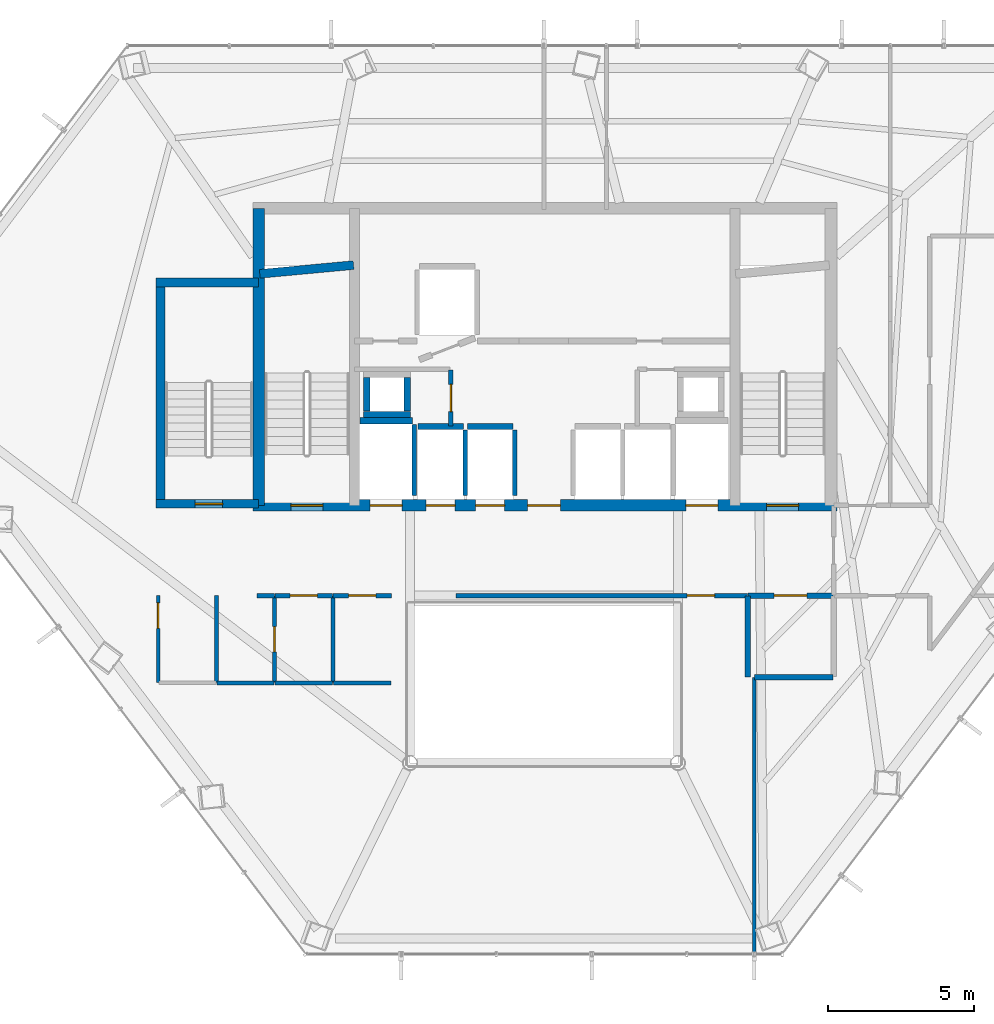
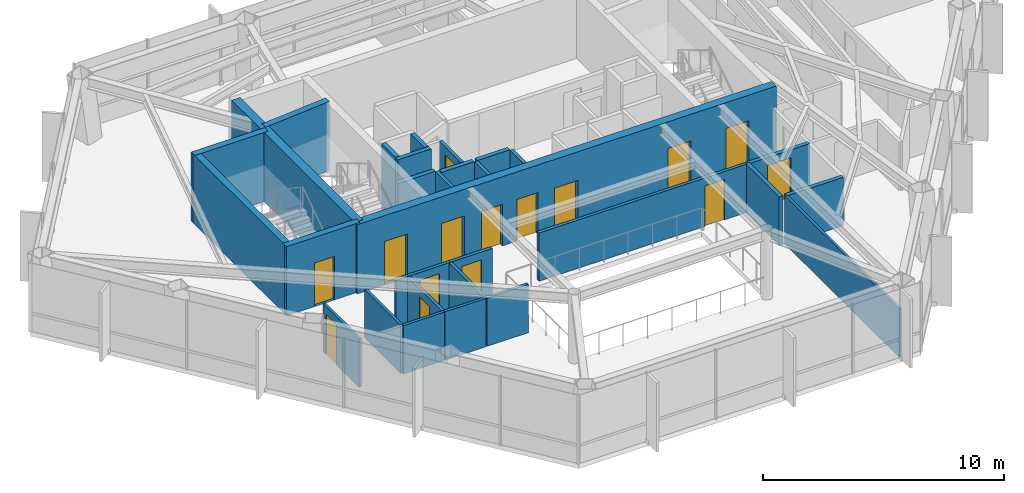
# One storey, part 25 of 28: 31 walls, 15 doors, 15 openings.
"""IFC4 building model written with IfcOpenShell, lengths in metres."""

from ifc_helpers import new_model, si_unit, direction, frame, frame_2d, origin, place, context, subcontext, project, spatial, rectangle, extrude, material, layer, layer_set, type_object, element, fill, save


model = new_model("IFC4")

# Units and contexts
model_context = context("Model", 3, precision=1e-05, world=origin(), true_north=direction((0.0, 1.0)))
body_context = subcontext(model_context, "Body", "Model", "MODEL_VIEW")
ifc_project = project(units=[si_unit("LENGTHUNIT", "METRE"), si_unit("AREAUNIT", "SQUARE_METRE"), si_unit("VOLUMEUNIT", "CUBIC_METRE"), si_unit("PLANEANGLEUNIT", "RADIAN"), si_unit("MASSUNIT", "GRAM", prefix="KILO")], contexts=[model_context])

# Site, building, storey
site_placement = place(None, origin())
site = spatial("IfcSite", under=ifc_project, at=site_placement, CompositionType="ELEMENT")
building_placement = place(site_placement, origin())
building = spatial("IfcBuilding", under=site, at=building_placement, Name="Zarrinselat Tower", CompositionType="ELEMENT")
storey_placement = place(building_placement, frame((0.0, 0.0, 153.340087890625)))
storey = spatial("IfcBuildingStorey", under=building, at=storey_placement, Name="L37", CompositionType="ELEMENT", Elevation=153.340087890625)

# Wall, opening, door
ifc_material_1 = material(Name="Concrete C40/50", Category="concrete")
ifc_layer_1 = layer(ifc_material_1, 0.18994140625)
ifc_layer_set_1 = layer_set([ifc_layer_1], Name="Concrete C40/50")
wall_type_1 = type_object("IfcWallType", Name="WAL-PART-EI120", PredefinedType="PARTITIONING", material=ifc_layer_set_1)
wall_1_placement = place(storey_placement, frame((45.405029296875, 30.14990234375, 0.0), z_axis=(0.0, 0.0, 1.0), x_axis=(1.0, 0.0, 0.0)))
wall_1 = element("IfcWall", 1, at=wall_1_placement, inside=storey, type_object=wall_type_1, Name="L37 Partition Wall 9", PredefinedType="PARTITIONING", context=body_context, shape_type="SweptSolid", body=[
    extrude(rectangle(XDim=2.925048828125, YDim=0.18994140625, at=frame_2d((1.46240234375, 0.0))), origin(), (0.0, 0.0, 1.0), 2.447021484375),
])
opening_1_placement = place(wall_1_placement, frame((0.902587890625, 0.0, 0.0)))
opening_1 = element("IfcOpeningElement", 2, at=opening_1_placement, cuts=wall_1, Name="Opening ID-02", PredefinedType="OPENING", context=body_context, shape_type="SweptSolid", body=[
    extrude(rectangle(XDim=1.1201171875, YDim=2.050048828125, at=frame_2d((0.56005859375, 1.02490234375))), frame((0.0, 0.10498046875, 0.0), z_axis=(0.0, -1.0, 0.0), x_axis=(1.0, 0.0, 0.0)), (0.0, 0.0, 1.0), 0.2099609375),
])
ifc_material_2 = material(Name="Steel S355J2", Category="steel")
door_type_1 = type_object("IfcDoorType", Name="DR-INT-FD60-W", OperationType="NOTDEFINED", PredefinedType="DOOR", material=ifc_material_2)
door_1_placement = place(opening_1_placement, origin())
door_1 = element("IfcDoor", 3, at=door_1_placement, inside=storey, type_object=door_type_1, Name="L37 Interior Door P9", OperationType="SINGLE_SWING_LEFT", OverallHeight=2.050048828125, OverallWidth=1.1201171875, PredefinedType="DOOR", context=body_context, shape_type="SweptSolid", body=[
    extrude(rectangle(XDim=1.1201171875, YDim=2.050048828125, at=frame_2d((0.56005859375, 1.02490234375))), frame((0.0, 0.02490234375, 0.0), z_axis=(0.0, -1.0, 0.0), x_axis=(1.0, 0.0, 0.0)), (0.0, 0.0, 1.0), 0.050048828125),
])
fill(opening_1, door_1)

# Walls
wall_2_placement = place(storey_placement, frame((45.39990234375, 27.35009765625, 0.0), z_axis=(0.0, 0.0, 1.0), x_axis=(0.0, 1.0, 0.0)))
element("IfcWall", 4, at=wall_2_placement, inside=storey, type_object=wall_type_1, Name="L37 Partition Wall 15", PredefinedType="PARTITIONING", context=body_context, shape_type="SweptSolid", body=[
    extrude(rectangle(XDim=2.77978515625, YDim=0.18994140625, at=frame_2d((1.389892578125, 0.0))), origin(), (0.0, 0.0, 1.0), 2.447021484375),
])
wall_3_placement = place(storey_placement, frame((45.623779296875, 27.35009765625, 0.0), z_axis=(0.0, 0.0, 1.0), x_axis=(1.0, 0.0, 0.0)))
element("IfcWall", 5, at=wall_3_placement, inside=storey, type_object=wall_type_1, Name="L37 Partition Wall 16", PredefinedType="PARTITIONING", context=body_context, shape_type="SweptSolid", body=[
    extrude(rectangle(XDim=2.706298828125, YDim=0.18994140625, at=frame_2d((1.35302734375, 0.0))), origin(), (0.0, 0.0, 1.0), 2.447021484375),
])

# Wall, opening, door
ifc_material_3 = material(Name="Fire-Rated Gypsum Board Partition", Category="gypsum")
ifc_layer_2 = layer(ifc_material_3, 0.14990234375)
ifc_layer_set_2 = layer_set([ifc_layer_2], Name="Fire-Rated Gypsum Board Partition")
wall_type_2 = type_object("IfcWallType", Name="WAL-PART-EI60", PredefinedType="PARTITIONING", material=ifc_layer_set_2)
wall_4_placement = place(storey_placement, frame((35.199951171875, 35.969970703125, 0.0), z_axis=(0.0, 0.0, 1.0), x_axis=(0.0, 1.0, 0.0)))
wall_4 = element("IfcWall", 6, at=wall_4_placement, inside=storey, type_object=wall_type_2, Name="L37 Partition Wall 1", PredefinedType="PARTITIONING", context=body_context, shape_type="SweptSolid", body=[
    extrude(rectangle(XDim=1.929931640625, YDim=0.14990234375, at=frame_2d((0.96484375, 0.0))), origin(), (0.0, 0.0, 1.0), 2.447021484375),
])
opening_2_placement = place(wall_4_placement, frame((0.4951171875, 0.0, 0.0)))
opening_2 = element("IfcOpeningElement", 7, at=opening_2_placement, cuts=wall_4, Name="Opening ID-04", PredefinedType="OPENING", context=body_context, shape_type="SweptSolid", body=[
    extrude(rectangle(XDim=0.93994140625, YDim=2.050048828125, at=frame_2d((0.469970703125, 1.02490234375))), frame((0.0, 0.0849609375, 0.0), z_axis=(0.0, -1.0, 0.0), x_axis=(1.0, 0.0, 0.0)), (0.0, 0.0, 1.0), 0.169921875),
])
ifc_material_4 = material(Name="Fire-Rated Gypsum Board Partition")
door_type_2 = type_object("IfcDoorType", Name="DR-INT-FD30-ENT", OperationType="NOTDEFINED", PredefinedType="DOOR", material=ifc_material_4)
door_2_placement = place(opening_2_placement, origin())
door_2 = element("IfcDoor", 8, at=door_2_placement, inside=storey, type_object=door_type_2, Name="L37 Interior Door P1", OperationType="SINGLE_SWING_LEFT", OverallHeight=2.050048828125, OverallWidth=0.93994140625, PredefinedType="DOOR", context=body_context, shape_type="SweptSolid", body=[
    extrude(rectangle(XDim=0.93994140625, YDim=2.050048828125, at=frame_2d((0.469970703125, 1.02490234375))), frame((0.0, 0.02490234375, 0.0), z_axis=(0.0, -1.0, 0.0), x_axis=(1.0, 0.0, 0.0)), (0.0, 0.0, 1.0), 0.050048828125),
])
fill(opening_2, door_2)

# Wall
wall_5_placement = place(storey_placement, frame((28.550048828125, 30.14990234375, 0.0), z_axis=(0.0, 0.0, 1.0), x_axis=(1.0, 0.0, 0.0)))
element("IfcWall", 9, at=wall_5_placement, inside=storey, type_object=wall_type_2, Name="L37 Partition Wall 11", PredefinedType="PARTITIONING", context=body_context, shape_type="SweptSolid", body=[
    extrude(rectangle(XDim=0.594970703125, YDim=0.14990234375, at=frame_2d((0.29736328125, 0.0))), origin(), (0.0, 0.0, 1.0), 2.447021484375),
])

# Wall, opening, door
wall_6_placement = place(storey_placement, frame((29.155029296875, 30.14990234375, 0.0), z_axis=(0.0, 0.0, 1.0), x_axis=(1.0, 0.0, 0.0)))
wall_6 = element("IfcWall", 10, at=wall_6_placement, inside=storey, type_object=wall_type_2, Name="L37 Partition Wall 12", PredefinedType="PARTITIONING", context=body_context, shape_type="SweptSolid", body=[
    extrude(rectangle(XDim=1.989990234375, YDim=0.14990234375, at=frame_2d((0.9951171875, 0.0))), origin(), (0.0, 0.0, 1.0), 2.447021484375),
])
opening_3_placement = place(wall_6_placement, frame((0.52490234375, 0.0, 0.0)))
opening_3 = element("IfcOpeningElement", 11, at=opening_3_placement, cuts=wall_6, Name="Opening ID-04", PredefinedType="OPENING", context=body_context, shape_type="SweptSolid", body=[
    extrude(rectangle(XDim=0.93994140625, YDim=2.050048828125, at=frame_2d((0.469970703125, 1.02490234375))), frame((0.0, 0.0849609375, 0.0), z_axis=(0.0, -1.0, 0.0), x_axis=(1.0, 0.0, 0.0)), (0.0, 0.0, 1.0), 0.169921875),
])
door_3_placement = place(opening_3_placement, origin())
door_3 = element("IfcDoor", 12, at=door_3_placement, inside=storey, type_object=door_type_2, Name="L37 Interior Door P12", OperationType="SINGLE_SWING_LEFT", OverallHeight=2.050048828125, OverallWidth=0.93994140625, PredefinedType="DOOR", context=body_context, shape_type="SweptSolid", body=[
    extrude(rectangle(XDim=0.93994140625, YDim=2.050048828125, at=frame_2d((0.469970703125, 1.02490234375))), frame((0.0, 0.02490234375, 0.0), z_axis=(0.0, -1.0, 0.0), x_axis=(1.0, 0.0, 0.0)), (0.0, 0.0, 1.0), 0.050048828125),
])
fill(opening_3, door_3)

wall_7_placement = place(storey_placement, frame((31.155029296875, 30.14990234375, 0.0), z_axis=(0.0, 0.0, 1.0), x_axis=(1.0, 0.0, 0.0)))
wall_7 = element("IfcWall", 13, at=wall_7_placement, inside=storey, type_object=wall_type_2, Name="L37 Partition Wall 13", PredefinedType="PARTITIONING", context=body_context, shape_type="SweptSolid", body=[
    extrude(rectangle(XDim=2.010009765625, YDim=0.14990234375, at=frame_2d((1.0048828125, 0.0))), origin(), (0.0, 0.0, 1.0), 2.447021484375),
])
opening_4_placement = place(wall_7_placement, frame((0.534912109375, 0.0, 0.0)))
opening_4 = element("IfcOpeningElement", 14, at=opening_4_placement, cuts=wall_7, Name="Opening ID-04", PredefinedType="OPENING", context=body_context, shape_type="SweptSolid", body=[
    extrude(rectangle(XDim=0.93994140625, YDim=2.050048828125, at=frame_2d((0.469970703125, 1.02490234375))), frame((0.0, 0.0849609375, 0.0), z_axis=(0.0, -1.0, 0.0), x_axis=(1.0, 0.0, 0.0)), (0.0, 0.0, 1.0), 0.169921875),
])
door_4_placement = place(opening_4_placement, origin())
door_4 = element("IfcDoor", 15, at=door_4_placement, inside=storey, type_object=door_type_2, Name="L37 Interior Door P13", OperationType="SINGLE_SWING_RIGHT", OverallHeight=2.050048828125, OverallWidth=0.93994140625, PredefinedType="DOOR", context=body_context, shape_type="SweptSolid", body=[
    extrude(rectangle(XDim=0.93994140625, YDim=2.050048828125, at=frame_2d((0.469970703125, 1.02490234375))), frame((0.0, 0.02490234375, 0.0), z_axis=(0.0, -1.0, 0.0), x_axis=(1.0, 0.0, 0.0)), (0.0, 0.0, 1.0), 0.050048828125),
])
fill(opening_4, door_4)

wall_8_placement = place(storey_placement, frame((35.385009765625, 30.14990234375, 0.0), z_axis=(0.0, 0.0, 1.0), x_axis=(1.0, 0.0, 0.0)))
wall_8 = element("IfcWall", 16, at=wall_8_placement, inside=storey, type_object=wall_type_2, Name="L37 Partition Wall 14", PredefinedType="PARTITIONING", context=body_context, shape_type="SweptSolid", body=[
    extrude(rectangle(XDim=10.010009765625, YDim=0.14990234375, at=frame_2d((5.0048828125, 0.0))), origin(), (0.0, 0.0, 1.0), 2.447021484375),
])
opening_5_placement = place(wall_8_placement, frame((7.93505859375, 0.0, 0.0)))
opening_5 = element("IfcOpeningElement", 17, at=opening_5_placement, cuts=wall_8, Name="Opening ID-04", PredefinedType="OPENING", context=body_context, shape_type="SweptSolid", body=[
    extrude(rectangle(XDim=0.93994140625, YDim=2.050048828125, at=frame_2d((0.469970703125, 1.02490234375))), frame((0.0, 0.0849609375, 0.0), z_axis=(0.0, -1.0, 0.0), x_axis=(1.0, 0.0, 0.0)), (0.0, 0.0, 1.0), 0.169921875),
])
door_5_placement = place(opening_5_placement, origin())
door_5 = element("IfcDoor", 18, at=door_5_placement, inside=storey, type_object=door_type_2, Name="L37 Interior Door P14", OperationType="SINGLE_SWING_LEFT", OverallHeight=2.050048828125, OverallWidth=0.93994140625, PredefinedType="DOOR", context=body_context, shape_type="SweptSolid", body=[
    extrude(rectangle(XDim=0.93994140625, YDim=2.050048828125, at=frame_2d((0.469970703125, 1.02490234375))), frame((0.0, 0.02490234375, 0.0), z_axis=(0.0, -1.0, 0.0), x_axis=(1.0, 0.0, 0.0)), (0.0, 0.0, 1.0), 0.050048828125),
])
fill(opening_5, door_5)

ifc_material_5 = material(Name="Fire-Rated Gypsum Board Partition", Category="gypsum")
ifc_layer_3 = layer(ifc_material_5, 0.1201171875)
ifc_layer_set_3 = layer_set([ifc_layer_3], Name="Fire-Rated Gypsum Board Partition")
wall_type_3 = type_object("IfcWallType", Name="WAL-PART-STD", PredefinedType="PARTITIONING", material=ifc_layer_set_3)
wall_9_placement = place(storey_placement, frame((25.14990234375, 27.169921875, 0.0), z_axis=(0.0, 0.0, 1.0), x_axis=(0.0, 1.0, 0.0)))
wall_9 = element("IfcWall", 19, at=wall_9_placement, inside=storey, type_object=wall_type_3, Name="L37 Partition Wall 31", PredefinedType="PARTITIONING", context=body_context, shape_type="SweptSolid", body=[
    extrude(rectangle(XDim=2.97998046875, YDim=0.1201171875, at=frame_2d((1.489990234375, 0.0))), origin(), (0.0, 0.0, 1.0), 2.447021484375),
])
opening_6_placement = place(wall_9_placement, frame((1.85009765625, 0.0, 0.0)))
opening_6 = element("IfcOpeningElement", 20, at=opening_6_placement, cuts=wall_9, Name="Opening ID-03", PredefinedType="OPENING", context=body_context, shape_type="SweptSolid", body=[
    extrude(rectangle(XDim=0.8798828125, YDim=2.050048828125, at=frame_2d((0.43994140625, 1.02490234375))), frame((0.0, 0.070068359375, 0.0), z_axis=(0.0, -1.0, 0.0), x_axis=(1.0, 0.0, 0.0)), (0.0, 0.0, 1.0), 0.14013671875),
])
ifc_material_6 = material(Name="Steel S355J2", Category="steel")
door_type_3 = type_object("IfcDoorType", Name="DR-INT-FD60-S", OperationType="NOTDEFINED", PredefinedType="DOOR", material=ifc_material_6)
door_6_placement = place(opening_6_placement, origin())
door_6 = element("IfcDoor", 21, at=door_6_placement, inside=storey, type_object=door_type_3, Name="L37 Interior Door P31", OperationType="SINGLE_SWING_RIGHT", OverallHeight=2.050048828125, OverallWidth=0.8798828125, PredefinedType="DOOR", context=body_context, shape_type="SweptSolid", body=[
    extrude(rectangle(XDim=0.8798828125, YDim=2.050048828125, at=frame_2d((0.43994140625, 1.02490234375))), frame((0.0, 0.02490234375, 0.0), z_axis=(0.0, -1.0, 0.0), x_axis=(1.0, 0.0, 0.0)), (0.0, 0.0, 1.0), 0.050048828125),
])
fill(opening_6, door_6)

# Walls
wall_10_placement = place(storey_placement, frame((45.61865234375, 17.846435546875, 0.0), z_axis=(0.0, 0.0, 1.0), x_axis=(0.0, 1.0, 0.0)))
element("IfcWall", 22, at=wall_10_placement, inside=storey, type_object=wall_type_3, Name="L37 Partition Wall 37", PredefinedType="PARTITIONING", context=body_context, shape_type="SweptSolid", body=[
    extrude(rectangle(XDim=9.483642578125, YDim=0.1201171875, at=frame_2d((4.74169921875, 0.0))), origin(), (0.0, 0.0, 1.0), 2.447021484375),
])
ifc_material_7 = material(Name="Fire-Rated Gypsum Board Partition", Category="gypsum")
ifc_layer_4 = layer(ifc_material_7, 0.135009765625)
ifc_layer_set_4 = layer_set([ifc_layer_4], Name="Fire-Rated Gypsum Board Partition")
wall_type_4 = type_object("IfcWallType", Name="WAL-PART-WET", PredefinedType="PARTITIONING", material=ifc_layer_set_4)
wall_11_placement = place(storey_placement, frame((27.14990234375, 27.169921875, 0.0), z_axis=(0.0, 0.0, 1.0), x_axis=(0.0, 1.0, 0.0)))
element("IfcWall", 23, at=wall_11_placement, inside=storey, type_object=wall_type_4, Name="L37 Partition Wall 29", PredefinedType="PARTITIONING", context=body_context, shape_type="SweptSolid", body=[
    extrude(rectangle(XDim=2.97998046875, YDim=0.135009765625, at=frame_2d((1.489990234375, 0.0))), origin(), (0.0, 0.0, 1.0), 2.447021484375),
])

# Wall, opening, door
wall_12_placement = place(storey_placement, frame((29.14990234375, 27.169921875, 0.0), z_axis=(0.0, 0.0, 1.0), x_axis=(0.0, 1.0, 0.0)))
wall_12 = element("IfcWall", 24, at=wall_12_placement, inside=storey, type_object=wall_type_4, Name="L37 Partition Wall 32", PredefinedType="PARTITIONING", context=body_context, shape_type="SweptSolid", body=[
    extrude(rectangle(XDim=2.9599609375, YDim=0.135009765625, at=frame_2d((1.47998046875, 0.0))), origin(), (0.0, 0.0, 1.0), 2.447021484375),
])
opening_7_placement = place(wall_12_placement, frame((1.050048828125, 0.0, 0.0)))
opening_7 = element("IfcOpeningElement", 25, at=opening_7_placement, cuts=wall_12, Name="Opening ID-06", PredefinedType="OPENING", context=body_context, shape_type="SweptSolid", body=[
    extrude(rectangle(XDim=0.860107421875, YDim=2.050048828125, at=frame_2d((0.43017578125, 1.02490234375))), frame((0.0, 0.077392578125, 0.0), z_axis=(0.0, -1.0, 0.0), x_axis=(1.0, 0.0, 0.0)), (0.0, 0.0, 1.0), 0.155029296875),
])
ifc_material_8 = material(Name="Extruded Aluminium Alloy EN AW-6063 T6", Category="aluminium")
door_type_4 = type_object("IfcDoorType", Name="DR-INT-WET-900", OperationType="NOTDEFINED", PredefinedType="DOOR", material=ifc_material_8)
door_7_placement = place(opening_7_placement, origin())
door_7 = element("IfcDoor", 26, at=door_7_placement, inside=storey, type_object=door_type_4, Name="L37 Interior Door P32", OperationType="SINGLE_SWING_LEFT", OverallHeight=2.050048828125, OverallWidth=0.860107421875, PredefinedType="DOOR", context=body_context, shape_type="SweptSolid", body=[
    extrude(rectangle(XDim=0.860107421875, YDim=2.050048828125, at=frame_2d((0.43017578125, 1.02490234375))), frame((0.0, 0.02490234375, 0.0), z_axis=(0.0, -1.0, 0.0), x_axis=(1.0, 0.0, 0.0)), (0.0, 0.0, 1.0), 0.050048828125),
])
fill(opening_7, door_7)

# Walls
wall_13_placement = place(storey_placement, frame((27.169921875, 27.14990234375, 0.0), z_axis=(0.0, 0.0, 1.0), x_axis=(1.0, 0.0, 0.0)))
element("IfcWall", 27, at=wall_13_placement, inside=storey, type_object=wall_type_4, Name="L37 Partition Wall 33", PredefinedType="PARTITIONING", context=body_context, shape_type="SweptSolid", body=[
    extrude(rectangle(XDim=1.9599609375, YDim=0.135009765625, at=frame_2d((0.97998046875, 0.0))), origin(), (0.0, 0.0, 1.0), 2.447021484375),
])
wall_14_placement = place(storey_placement, frame((31.14990234375, 27.169921875, 0.0), z_axis=(0.0, 0.0, 1.0), x_axis=(0.0, 1.0, 0.0)))
element("IfcWall", 28, at=wall_14_placement, inside=storey, type_object=wall_type_4, Name="L37 Partition Wall 34", PredefinedType="PARTITIONING", context=body_context, shape_type="SweptSolid", body=[
    extrude(rectangle(XDim=2.9599609375, YDim=0.135009765625, at=frame_2d((1.47998046875, 0.0))), origin(), (0.0, 0.0, 1.0), 2.447021484375),
])
wall_15_placement = place(storey_placement, frame((29.169921875, 27.14990234375, 0.0), z_axis=(0.0, 0.0, 1.0), x_axis=(1.0, 0.0, 0.0)))
element("IfcWall", 29, at=wall_15_placement, inside=storey, type_object=wall_type_4, Name="L37 Partition Wall 35", PredefinedType="PARTITIONING", context=body_context, shape_type="SweptSolid", body=[
    extrude(rectangle(XDim=1.9599609375, YDim=0.135009765625, at=frame_2d((0.97998046875, 0.0))), origin(), (0.0, 0.0, 1.0), 2.447021484375),
])
wall_16_placement = place(storey_placement, frame((31.169921875, 27.14990234375, 0.0), z_axis=(0.0, 0.0, 1.0), x_axis=(1.0, 0.0, 0.0)))
element("IfcWall", 30, at=wall_16_placement, inside=storey, type_object=wall_type_4, Name="L37 Partition Wall 36", PredefinedType="PARTITIONING", context=body_context, shape_type="SweptSolid", body=[
    extrude(rectangle(XDim=1.97998046875, YDim=0.135009765625, at=frame_2d((0.989990234375, 0.0))), origin(), (0.0, 0.0, 1.0), 2.447021484375),
])
ifc_material_9 = material(Name="Concrete C40/50", Category="concrete")
ifc_layer_5 = layer(ifc_material_9, 0.2099609375)
ifc_layer_set_5 = layer_set([ifc_layer_5], Name="Concrete C40/50")
wall_type_5 = type_object("IfcWallType", Name="WAL-SHAFT-210", PredefinedType="SOLIDWALL", material=ifc_layer_set_5)
wall_17_placement = place(storey_placement, frame((32.080078125, 36.155029296875, 0.0), z_axis=(0.0, 0.0, 1.0), x_axis=(1.0, 0.0, 0.0)))
element("IfcWall", 31, at=wall_17_placement, inside=storey, type_object=wall_type_5, Name="L37 Lift FFL1 North Shaft Wall", PredefinedType="SOLIDWALL", context=body_context, shape_type="SweptSolid", body=[
    extrude(rectangle(XDim=1.7998046875, YDim=0.2099609375, at=frame_2d((0.89990234375, 0.0))), origin(), (0.0, 0.0, 1.0), 2.471923828125),
])
wall_18_placement = place(storey_placement, frame((33.949951171875, 33.580078125, 0.0), z_axis=(0.0, 0.0, 1.0), x_axis=(0.0, 1.0, 0.0)))
element("IfcWall", 32, at=wall_18_placement, inside=storey, type_object=wall_type_5, Name="L37 Lift FFL1 E Shaft Wall", PredefinedType="SOLIDWALL", context=body_context, shape_type="SweptSolid", body=[
    extrude(rectangle(XDim=2.449951171875, YDim=0.159912109375, at=frame_2d((1.22509765625, 0.0))), origin(), (0.0, 0.0, 1.0), 2.471923828125),
])
wall_19_placement = place(storey_placement, frame((34.070068359375, 35.955078125, 0.0), z_axis=(0.0, 0.0, 1.0), x_axis=(1.0, 0.0, 0.0)))
element("IfcWall", 33, at=wall_19_placement, inside=storey, type_object=wall_type_5, Name="L37 Lift PL5 North Shaft Wall", PredefinedType="SOLIDWALL", context=body_context, shape_type="SweptSolid", body=[
    extrude(rectangle(XDim=1.559814453125, YDim=0.2099609375, at=frame_2d((0.77978515625, 0.0))), origin(), (0.0, 0.0, 1.0), 2.471923828125),
])
wall_20_placement = place(storey_placement, frame((35.699951171875, 33.580078125, 0.0), z_axis=(0.0, 0.0, 1.0), x_axis=(0.0, 1.0, 0.0)))
element("IfcWall", 34, at=wall_20_placement, inside=storey, type_object=wall_type_5, Name="L37 Lift PL5 E Shaft Wall", PredefinedType="SOLIDWALL", context=body_context, shape_type="SweptSolid", body=[
    extrude(rectangle(XDim=2.25, YDim=0.159912109375, at=frame_2d((1.125, 0.0))), origin(), (0.0, 0.0, 1.0), 2.471923828125),
])
wall_21_placement = place(storey_placement, frame((35.77001953125, 35.955078125, 0.0), z_axis=(0.0, 0.0, 1.0), x_axis=(1.0, 0.0, 0.0)))
element("IfcWall", 35, at=wall_21_placement, inside=storey, type_object=wall_type_5, Name="L37 Lift PL6 North Shaft Wall", PredefinedType="SOLIDWALL", context=body_context, shape_type="SweptSolid", body=[
    extrude(rectangle(XDim=1.56005859375, YDim=0.2099609375, at=frame_2d((0.780029296875, 0.0))), origin(), (0.0, 0.0, 1.0), 2.471923828125),
])
wall_22_placement = place(storey_placement, frame((37.39990234375, 33.580078125, 0.0), z_axis=(0.0, 0.0, 1.0), x_axis=(0.0, 1.0, 0.0)))
element("IfcWall", 36, at=wall_22_placement, inside=storey, type_object=wall_type_5, Name="L37 Lift PL6 E Shaft Wall", PredefinedType="SOLIDWALL", context=body_context, shape_type="SweptSolid", body=[
    extrude(rectangle(XDim=2.25, YDim=0.159912109375, at=frame_2d((1.125, 0.0))), origin(), (0.0, 0.0, 1.0), 2.471923828125),
])
wall_23_placement = place(storey_placement, frame((32.2099609375, 36.375, 0.0), z_axis=(0.0, 0.0, 1.0), x_axis=(1.0, 0.0, 0.0)))
element("IfcWall", 37, at=wall_23_placement, inside=storey, type_object=wall_type_5, Name="L37 Core Riser RSR-W S Shaft Wall", PredefinedType="SOLIDWALL", context=body_context, shape_type="SweptSolid", body=[
    extrude(rectangle(XDim=1.60009765625, YDim=0.2099609375, at=frame_2d((0.800048828125, 0.0))), origin(), (0.0, 0.0, 1.0), 3.5),
])
for number, where, z_axis, x_axis, name in (
    (38, (32.31494140625, 36.485107421875, 0.0), (0.0, 0.0, 1.0), (0.0, 1.0, 0.0), "L37 Core Riser RSR-W W Shaft Wall"),
    (39, (33.705078125, 36.485107421875, 0.0), (0.0, 0.0, 1.0), (0.0, 1.0, 0.0), "L37 Core Riser RSR-W E Shaft Wall"),
):
    element("IfcWall", number, at=place(storey_placement, frame(where, z_axis=z_axis, x_axis=x_axis)), inside=storey, type_object=wall_type_5, Name=name, PredefinedType="SOLIDWALL", context=body_context, shape_type="SweptSolid", body=[
        extrude(rectangle(XDim=1.14990234375, YDim=0.2099609375, at=frame_2d((0.574951171875, 0.0))), origin(), (0.0, 0.0, 1.0), 3.5),
    ])
ifc_material_10 = material(Name="Concrete C40/50", Category="concrete")
ifc_layer_6 = layer(ifc_material_10, 0.300048828125)
ifc_layer_set_6 = layer_set([ifc_layer_6], Name="Concrete C40/50")
wall_type_6 = type_object("IfcWallType", Name="WAL-SHEAR-300", PredefinedType="SHEAR", material=ifc_layer_set_6)
wall_24_placement = place(storey_placement, frame((28.639892578125, 41.199951171875, 0.0), z_axis=(0.0, 0.0, 1.0), x_axis=(0.995687118776, 0.092774789157, 0.0)))
element("IfcWall", 40, at=wall_24_placement, inside=storey, type_object=wall_type_6, Name="L37 Stair 1 North Shaft Wall", PredefinedType="SHEAR", context=body_context, shape_type="SweptSolid", body=[
    extrude(rectangle(XDim=3.234130859375, YDim=0.300048828125, at=frame_2d((1.6171875, 0.0))), origin(), (0.0, 0.0, 1.0), 3.5),
])
wall_25_placement = place(storey_placement, frame((25.080078125, 40.89990234375, 0.0), z_axis=(0.0, 0.0, 1.0), x_axis=(1.0, 0.0, 0.0)))
element("IfcWall", 41, at=wall_25_placement, inside=storey, type_object=wall_type_6, Name="L37 Stair 3 North Shear Wall", PredefinedType="SHEAR", context=body_context, shape_type="SweptSolid", body=[
    extrude(rectangle(XDim=3.52001953125, YDim=0.300048828125, at=frame_2d((1.760009765625, 0.0))), origin(), (0.0, 0.0, 1.0), 3.5),
])

# Wall, opening, door
wall_26_placement = place(storey_placement, frame((25.080078125, 33.300048828125, 0.0), z_axis=(0.0, 0.0, 1.0), x_axis=(1.0, 0.0, 0.0)))
wall_26 = element("IfcWall", 42, at=wall_26_placement, inside=storey, type_object=wall_type_6, Name="L37 Stair 3 South Shear Wall", PredefinedType="SHEAR", context=body_context, shape_type="SweptSolid", body=[
    extrude(rectangle(XDim=3.52001953125, YDim=0.300048828125, at=frame_2d((1.760009765625, 0.0))), origin(), (0.0, 0.0, 1.0), 3.5),
])
opening_8_placement = place(wall_26_placement, frame((1.3349609375, 0.0, 0.0)))
opening_8 = element("IfcOpeningElement", 43, at=opening_8_placement, cuts=wall_26, Name="Opening SD-02", PredefinedType="OPENING", context=body_context, shape_type="SweptSolid", body=[
    extrude(rectangle(XDim=0.949951171875, YDim=2.199951171875, at=frame_2d((0.47509765625, 1.10009765625))), frame((0.0, 0.159912109375, 0.0), z_axis=(0.0, -1.0, 0.0), x_axis=(1.0, 0.0, 0.0)), (0.0, 0.0, 1.0), 0.320068359375),
])
ifc_material_11 = material(Name="Steel S355J2", Category="steel")
door_type_5 = type_object("IfcDoorType", Name="DR-STAIR-1050", OperationType="NOTDEFINED", PredefinedType="DOOR", material=ifc_material_11)
door_8_placement = place(opening_8_placement, origin())
door_8 = element("IfcDoor", 44, at=door_8_placement, inside=storey, type_object=door_type_5, Name="L37 Exit Stair 3 Fire Door", OperationType="SINGLE_SWING_LEFT", OverallHeight=2.199951171875, OverallWidth=0.949951171875, PredefinedType="DOOR", context=body_context, shape_type="SweptSolid", body=[
    extrude(rectangle(XDim=0.949951171875, YDim=2.199951171875, at=frame_2d((0.47509765625, 1.10009765625))), frame((0.0, 0.02490234375, 0.0), z_axis=(0.0, -1.0, 0.0), x_axis=(1.0, 0.0, 0.0)), (0.0, 0.0, 1.0), 0.050048828125),
])
fill(opening_8, door_8)

# Wall
wall_27_placement = place(storey_placement, frame((25.22998046875, 33.300048828125, 0.0), z_axis=(0.0, 0.0, 1.0), x_axis=(0.0, 1.0, 0.0)))
element("IfcWall", 45, at=wall_27_placement, inside=storey, type_object=wall_type_6, Name="L37 Stair 3 West Shear Wall", PredefinedType="SHEAR", context=body_context, shape_type="SweptSolid", body=[
    extrude(rectangle(XDim=7.599853515625, YDim=0.300048828125, at=frame_2d((3.7998046875, 0.0))), origin(), (0.0, 0.0, 1.0), 3.5),
])

# Wall, openings, doors
ifc_material_12 = material(Name="Concrete C60/75", Category="concrete")
ifc_layer_7 = layer(ifc_material_12, 0.39990234375)
ifc_layer_set_7 = layer_set([ifc_layer_7], Name="Concrete C60/75")
wall_type_7 = type_object("IfcWallType", Name="WAL-SHEAR-400", PredefinedType="SHEAR", material=ifc_layer_set_7)
wall_28_placement = place(storey_placement, frame((28.39990234375, 33.25, 0.0), z_axis=(0.0, 0.0, 1.0), x_axis=(1.0, 0.0, 0.0)))
wall_28 = element("IfcWall", 46, at=wall_28_placement, inside=storey, type_object=wall_type_7, Name="L37 South Core Shear Wall", PredefinedType="SHEAR", context=body_context, shape_type="SweptSolid", body=[
    extrude(rectangle(XDim=20.06005859375, YDim=0.39990234375, at=frame_2d((10.030029296875, 0.0))), origin(), (0.0, 0.0, 1.0), 3.5),
])
opening_9_placement = place(wall_28_placement, frame((4.030029296875, 0.0, 0.0)))
opening_9 = element("IfcOpeningElement", 47, at=opening_9_placement, cuts=wall_28, Name="Opening LD-FFL1", PredefinedType="OPENING", context=body_context, shape_type="SweptSolid", body=[
    extrude(rectangle(XDim=1.10009765625, YDim=2.14990234375, at=frame_2d((0.550048828125, 1.074951171875))), frame((0.0, 0.2099609375, 0.0), z_axis=(0.0, -1.0, 0.0), x_axis=(1.0, 0.0, 0.0)), (0.0, 0.0, 1.0), 0.419921875),
])
opening_10_placement = place(wall_28_placement, frame((14.8701171875, 0.0, 0.0)))
opening_10 = element("IfcOpeningElement", 48, at=opening_10_placement, cuts=wall_28, Name="Opening LD-FFL2", PredefinedType="OPENING", context=body_context, shape_type="SweptSolid", body=[
    extrude(rectangle(XDim=1.10009765625, YDim=2.14990234375, at=frame_2d((0.550048828125, 1.074951171875))), frame((0.0, 0.2099609375, 0.0), z_axis=(0.0, -1.0, 0.0), x_axis=(1.0, 0.0, 0.0)), (0.0, 0.0, 1.0), 0.419921875),
])
opening_11_placement = place(wall_28_placement, frame((5.949951171875, 0.0, 0.0)))
opening_11 = element("IfcOpeningElement", 49, at=opening_11_placement, cuts=wall_28, Name="Opening LD-PL5", PredefinedType="OPENING", context=body_context, shape_type="SweptSolid", body=[
    extrude(rectangle(XDim=1.0, YDim=2.10009765625, at=frame_2d((0.5, 1.050048828125))), frame((0.0, 0.2099609375, 0.0), z_axis=(0.0, -1.0, 0.0), x_axis=(1.0, 0.0, 0.0)), (0.0, 0.0, 1.0), 0.419921875),
])
opening_12_placement = place(wall_28_placement, frame((7.64990234375, 0.0, 0.0)))
opening_12 = element("IfcOpeningElement", 50, at=opening_12_placement, cuts=wall_28, Name="Opening LD-PL6", PredefinedType="OPENING", context=body_context, shape_type="SweptSolid", body=[
    extrude(rectangle(XDim=1.0, YDim=2.10009765625, at=frame_2d((0.5, 1.050048828125))), frame((0.0, 0.2099609375, 0.0), z_axis=(0.0, -1.0, 0.0), x_axis=(1.0, 0.0, 0.0)), (0.0, 0.0, 1.0), 0.419921875),
])
opening_13_placement = place(wall_28_placement, frame((1.31005859375, 0.0, 0.0)))
opening_13 = element("IfcOpeningElement", 51, at=opening_13_placement, cuts=wall_28, Name="Opening SD-01", PredefinedType="OPENING", context=body_context, shape_type="SweptSolid", body=[
    extrude(rectangle(XDim=1.10009765625, YDim=2.199951171875, at=frame_2d((0.550048828125, 1.10009765625))), frame((0.0, 0.2099609375, 0.0), z_axis=(0.0, -1.0, 0.0), x_axis=(1.0, 0.0, 0.0)), (0.0, 0.0, 1.0), 0.419921875),
])
opening_14_placement = place(wall_28_placement, frame((9.43994140625, 0.0, 0.0)))
opening_14 = element("IfcOpeningElement", 52, at=opening_14_placement, cuts=wall_28, Name="Opening ID-02", PredefinedType="OPENING", context=body_context, shape_type="SweptSolid", body=[
    extrude(rectangle(XDim=1.1201171875, YDim=2.050048828125, at=frame_2d((0.56005859375, 1.02490234375))), frame((0.0, 0.2099609375, 0.0), z_axis=(0.0, -1.0, 0.0), x_axis=(1.0, 0.0, 0.0)), (0.0, 0.0, 1.0), 0.419921875),
])
opening_15_placement = place(wall_28_placement, frame((17.64990234375, 0.0, 0.0)))
opening_15 = element("IfcOpeningElement", 53, at=opening_15_placement, cuts=wall_28, Name="Opening SD-01", PredefinedType="OPENING", context=body_context, shape_type="SweptSolid", body=[
    extrude(rectangle(XDim=1.10009765625, YDim=2.199951171875, at=frame_2d((0.550048828125, 1.10009765625))), frame((0.0, 0.2099609375, 0.0), z_axis=(0.0, -1.0, 0.0), x_axis=(1.0, 0.0, 0.0)), (0.0, 0.0, 1.0), 0.419921875),
])
door_9_placement = place(opening_14_placement, origin())
door_9 = element("IfcDoor", 54, at=door_9_placement, inside=storey, type_object=door_type_1, Name="L37 Core Service Vestibule Fire Door", OperationType="SINGLE_SWING_LEFT", OverallHeight=2.050048828125, OverallWidth=1.1201171875, PredefinedType="DOOR", context=body_context, shape_type="SweptSolid", body=[
    extrude(rectangle(XDim=1.1201171875, YDim=2.050048828125, at=frame_2d((0.56005859375, 1.02490234375))), frame((0.0, 0.02490234375, 0.0), z_axis=(0.0, -1.0, 0.0), x_axis=(1.0, 0.0, 0.0)), (0.0, 0.0, 1.0), 0.050048828125),
])
fill(opening_14, door_9)
ifc_material_13 = material(Name="Steel S355J2", Category="steel")
door_type_6 = type_object("IfcDoorType", Name="DR-LIFT-FF-1100", OperationType="NOTDEFINED", PredefinedType="DOOR", material=ifc_material_13)
door_10_placement = place(opening_9_placement, origin())
door_10 = element("IfcDoor", 55, at=door_10_placement, inside=storey, type_object=door_type_6, Name="L37 Lift FFL1 Sliding Landing Door", OperationType="SLIDING_TO_LEFT", OverallHeight=2.14990234375, OverallWidth=1.10009765625, PredefinedType="DOOR", context=body_context, shape_type="SweptSolid", body=[
    extrude(rectangle(XDim=1.10009765625, YDim=2.14990234375, at=frame_2d((0.550048828125, 1.074951171875))), frame((0.0, 0.02490234375, 0.0), z_axis=(0.0, -1.0, 0.0), x_axis=(1.0, 0.0, 0.0)), (0.0, 0.0, 1.0), 0.050048828125),
])
fill(opening_9, door_10)
door_11_placement = place(opening_10_placement, origin())
door_11 = element("IfcDoor", 56, at=door_11_placement, inside=storey, type_object=door_type_6, Name="L37 Lift FFL2 Sliding Landing Door", OperationType="SLIDING_TO_RIGHT", OverallHeight=2.14990234375, OverallWidth=1.10009765625, PredefinedType="DOOR", context=body_context, shape_type="SweptSolid", body=[
    extrude(rectangle(XDim=1.10009765625, YDim=2.14990234375, at=frame_2d((0.550048828125, 1.074951171875))), frame((0.0, 0.02490234375, 0.0), z_axis=(0.0, -1.0, 0.0), x_axis=(1.0, 0.0, 0.0)), (0.0, 0.0, 1.0), 0.050048828125),
])
fill(opening_10, door_11)
ifc_material_14 = material(Name="Steel S355J2", Category="steel")
door_type_7 = type_object("IfcDoorType", Name="DR-LIFT-PS-1000", OperationType="NOTDEFINED", PredefinedType="DOOR", material=ifc_material_14)
door_12_placement = place(opening_11_placement, origin())
door_12 = element("IfcDoor", 57, at=door_12_placement, inside=storey, type_object=door_type_7, Name="L37 Lift PL5 Sliding Landing Door", OperationType="SLIDING_TO_LEFT", OverallHeight=2.10009765625, OverallWidth=1.0, PredefinedType="DOOR", context=body_context, shape_type="SweptSolid", body=[
    extrude(rectangle(XDim=1.0, YDim=2.10009765625, at=frame_2d((0.5, 1.050048828125))), frame((0.0, 0.02490234375, 0.0), z_axis=(0.0, -1.0, 0.0), x_axis=(1.0, 0.0, 0.0)), (0.0, 0.0, 1.0), 0.050048828125),
])
fill(opening_11, door_12)
door_13_placement = place(opening_12_placement, origin())
door_13 = element("IfcDoor", 58, at=door_13_placement, inside=storey, type_object=door_type_7, Name="L37 Lift PL6 Sliding Landing Door", OperationType="SLIDING_TO_RIGHT", OverallHeight=2.10009765625, OverallWidth=1.0, PredefinedType="DOOR", context=body_context, shape_type="SweptSolid", body=[
    extrude(rectangle(XDim=1.0, YDim=2.10009765625, at=frame_2d((0.5, 1.050048828125))), frame((0.0, 0.02490234375, 0.0), z_axis=(0.0, -1.0, 0.0), x_axis=(1.0, 0.0, 0.0)), (0.0, 0.0, 1.0), 0.050048828125),
])
fill(opening_12, door_13)
ifc_material_15 = material(Name="Steel S355J2", Category="steel")
door_type_8 = type_object("IfcDoorType", Name="DR-STAIR-1100", OperationType="NOTDEFINED", PredefinedType="DOOR", material=ifc_material_15)
door_14_placement = place(opening_13_placement, origin())
door_14 = element("IfcDoor", 59, at=door_14_placement, inside=storey, type_object=door_type_8, Name="L37 Exit Stair 1 Fire Door", OperationType="SINGLE_SWING_LEFT", OverallHeight=2.199951171875, OverallWidth=1.10009765625, PredefinedType="DOOR", context=body_context, shape_type="SweptSolid", body=[
    extrude(rectangle(XDim=1.10009765625, YDim=2.199951171875, at=frame_2d((0.550048828125, 1.10009765625))), frame((0.0, 0.02490234375, 0.0), z_axis=(0.0, -1.0, 0.0), x_axis=(1.0, 0.0, 0.0)), (0.0, 0.0, 1.0), 0.050048828125),
])
fill(opening_13, door_14)
door_15_placement = place(opening_15_placement, origin())
door_15 = element("IfcDoor", 60, at=door_15_placement, inside=storey, type_object=door_type_8, Name="L37 Exit Stair 2 Fire Door", OperationType="SINGLE_SWING_RIGHT", OverallHeight=2.199951171875, OverallWidth=1.10009765625, PredefinedType="DOOR", context=body_context, shape_type="SweptSolid", body=[
    extrude(rectangle(XDim=1.10009765625, YDim=2.199951171875, at=frame_2d((0.550048828125, 1.10009765625))), frame((0.0, 0.02490234375, 0.0), z_axis=(0.0, -1.0, 0.0), x_axis=(1.0, 0.0, 0.0)), (0.0, 0.0, 1.0), 0.050048828125),
])
fill(opening_15, door_15)

# Wall
wall_29_placement = place(storey_placement, frame((28.60009765625, 33.25, 0.0), z_axis=(0.0, 0.0, 1.0), x_axis=(0.0, 1.0, 0.0)))
element("IfcWall", 61, at=wall_29_placement, inside=storey, type_object=wall_type_7, Name="L37 Core Shear Wall W", PredefinedType="SHEAR", context=body_context, shape_type="SweptSolid", body=[
    extrude(rectangle(XDim=10.199951171875, YDim=0.39990234375, at=frame_2d((5.10009765625, 0.0))), origin(), (0.0, 0.0, 1.0), 3.5),
])

save(model, "model.ifc")
